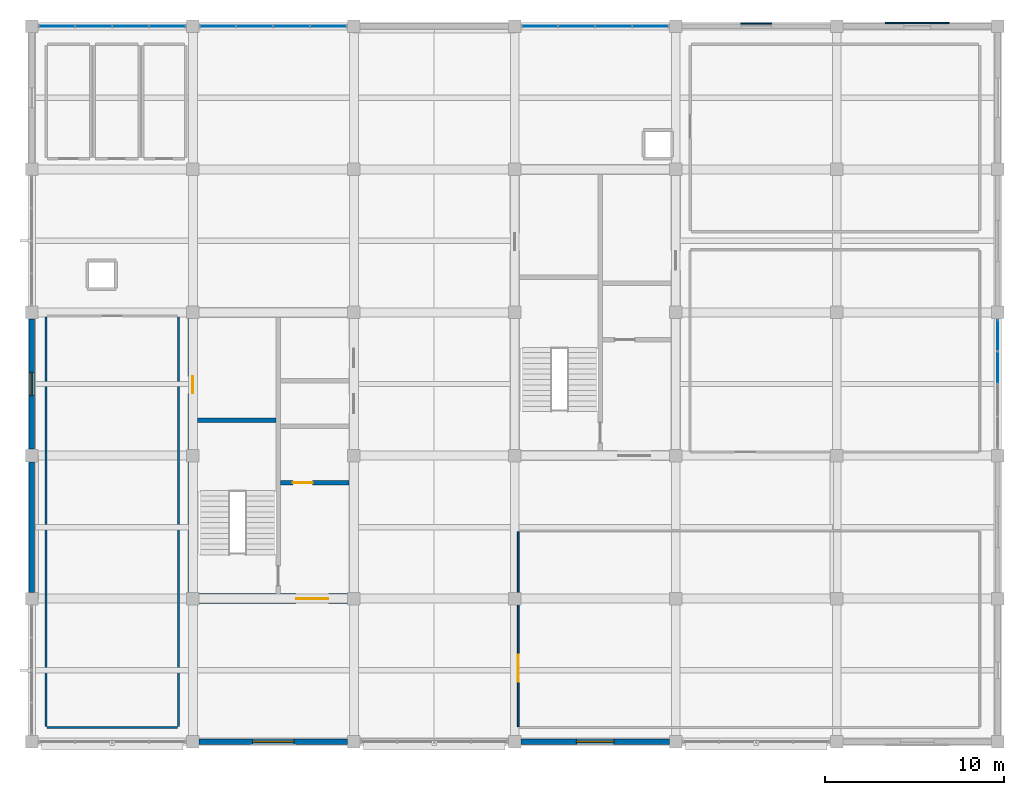
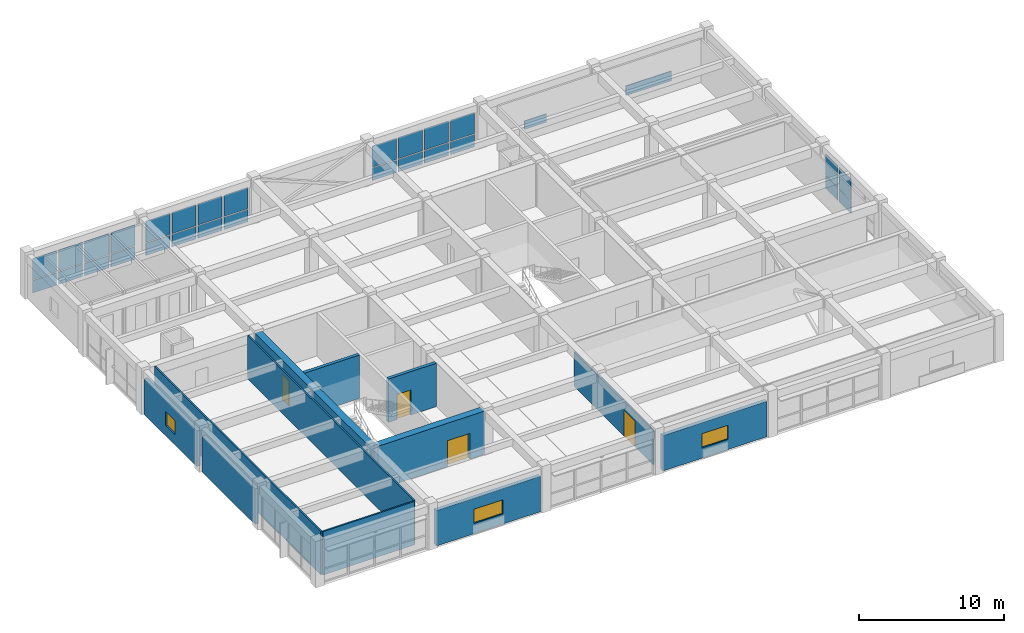
# One storey, part 10 of 13: 30 plates, 12 walls, 4 doors, 3 windows, 7 openings, 4 elements without a shape of their own.
"""IFC4 building model written with IfcOpenShell, lengths in metres."""

from ifc_helpers import new_model, si_unit, direction, frame, frame_2d, origin, place, context, subcontext, project, spatial, rectangle, extrude, material, layer, layer_set, type_object, element, fill, aggregate, save


model = new_model("IFC4")

# Units and contexts
model_context = context("Model", 3, precision=1e-05, world=origin(), true_north=direction((0.0, 1.0)))
body_context = subcontext(model_context, "Body", "Model", "MODEL_VIEW")
ifc_project = project(units=[si_unit("LENGTHUNIT", "METRE"), si_unit("AREAUNIT", "SQUARE_METRE"), si_unit("VOLUMEUNIT", "CUBIC_METRE"), si_unit("PLANEANGLEUNIT", "RADIAN"), si_unit("MASSUNIT", "GRAM", prefix="KILO")], contexts=[model_context])

# Site, building, storey
site_placement = place(None, origin())
site = spatial("IfcSite", under=ifc_project, at=site_placement, CompositionType="ELEMENT")
building_placement = place(site_placement, origin())
building = spatial("IfcBuilding", under=site, at=building_placement, Name="Zaverband Oceanarium and Marine Research Institute", CompositionType="ELEMENT")
storey_placement = place(building_placement, frame((0.0, 0.0, 60.89990234375)))
storey = spatial("IfcBuildingStorey", under=building, at=storey_placement, Name="L15", CompositionType="ELEMENT", Elevation=60.89990234375)

# Curtain wall, plates
ifc_material_1 = material(Name="Thermally broken anodized aluminium and solar-control glass", Category="aluminium")
curtain_wall_type = type_object("IfcCurtainWallType", Name="CW-UNIT-1800", PredefinedType="NOTDEFINED", material=ifc_material_1)
curtain_wall_1_placement = place(storey_placement, origin())
curtain_wall_1 = element("IfcCurtainWall", 1, at=curtain_wall_1_placement, inside=storey, type_object=curtain_wall_type, Name="Unitised glazed curtain wall CW-164", PredefinedType="NOTDEFINED")
ifc_material_2 = material(Name="Low-E double-glazed solar-control glass", Category="glass")
ifc_layer_1 = layer(ifc_material_2, 0.033935546875, Name="Low-E double-glazed solar-control glass")
ifc_layer_set_1 = layer_set([ifc_layer_1], Name="Low-E double-glazed solar-control glass")
plate_type_1 = type_object("IfcPlateType", Name="CWP-1570x1043", PredefinedType="CURTAIN_PANEL", material=ifc_layer_set_1)
plate_1_placement = place(storey_placement, frame((63.0, 92.080078125, 0.050048828125), z_axis=(0.0, 0.0, 1.0), x_axis=(0.0, 1.0, 0.0)))
plate_1 = element("IfcPlate", 2, at=plate_1_placement, type_object=plate_type_1, Name="Glazed curtain wall panel CWP-1570x1043", PredefinedType="CURTAIN_PANEL", context=body_context, shape_type="SweptSolid", body=[
    extrude(rectangle(XDim=1.662353515625, YDim=0.033935546875, at=frame_2d((0.8310546875, 0.0))), origin(), (0.0, 0.0, 1.0), 1.04296875),
])
plate_2_placement = place(storey_placement, frame((63.0, 93.902587890625, 0.050048828125), z_axis=(0.0, 0.0, 1.0), x_axis=(0.0, 1.0, 0.0)))
plate_2 = element("IfcPlate", 3, at=plate_2_placement, type_object=plate_type_1, Name="Glazed curtain wall panel CWP-1570x1043", PredefinedType="CURTAIN_PANEL", context=body_context, shape_type="SweptSolid", body=[
    extrude(rectangle(XDim=1.662353515625, YDim=0.033935546875, at=frame_2d((0.8310546875, 0.0))), origin(), (0.0, 0.0, 1.0), 1.04296875),
])
ifc_layer_2 = layer(ifc_material_2, 0.035888671875, Name="Low-E double-glazed solar-control glass")
ifc_layer_set_2 = layer_set([ifc_layer_2], Name="Low-E double-glazed solar-control glass")
plate_type_2 = type_object("IfcPlateType", Name="CWP-1570x1777", PredefinedType="CURTAIN_PANEL", material=ifc_layer_set_2)
plate_3_placement = place(storey_placement, frame((63.0, 92.080078125, 1.1630859375), z_axis=(0.0, 0.0, 1.0), x_axis=(0.0, 1.0, 0.0)))
plate_3 = element("IfcPlate", 4, at=plate_3_placement, type_object=plate_type_2, Name="Glazed curtain wall panel CWP-1570x1777", PredefinedType="CURTAIN_PANEL", context=body_context, shape_type="SweptSolid", body=[
    extrude(rectangle(XDim=1.662353515625, YDim=0.035888671875, at=frame_2d((0.8310546875, 0.0))), origin(), (0.0, 0.0, 1.0), 1.777099609375),
])
plate_4_placement = place(storey_placement, frame((63.0, 93.902587890625, 1.1630859375), z_axis=(0.0, 0.0, 1.0), x_axis=(0.0, 1.0, 0.0)))
plate_4 = element("IfcPlate", 5, at=plate_4_placement, type_object=plate_type_2, Name="Glazed curtain wall panel CWP-1570x1777", PredefinedType="CURTAIN_PANEL", context=body_context, shape_type="SweptSolid", body=[
    extrude(rectangle(XDim=1.662353515625, YDim=0.035888671875, at=frame_2d((0.8310546875, 0.0))), origin(), (0.0, 0.0, 1.0), 1.777099609375),
])
aggregate(curtain_wall_1, [plate_1, plate_3, plate_2, plate_4])

curtain_wall_2_placement = place(storey_placement, origin())
curtain_wall_2 = element("IfcCurtainWall", 6, at=curtain_wall_2_placement, inside=storey, type_object=curtain_wall_type, Name="Unitised glazed curtain wall CW-159", PredefinedType="NOTDEFINED")
ifc_layer_3 = layer(ifc_material_2, 0.033935546875, Name="Low-E double-glazed solar-control glass")
ifc_layer_set_3 = layer_set([ifc_layer_3], Name="Low-E double-glazed solar-control glass")
plate_type_3 = type_object("IfcPlateType", Name="CWP-1820x1043", PredefinedType="CURTAIN_PANEL", material=ifc_layer_set_3)
plate_5_placement = place(storey_placement, frame((9.43505859375, 112.0, 0.050048828125), z_axis=(0.0, 0.0, 1.0), x_axis=(1.0, 0.0, 0.0)))
plate_5 = element("IfcPlate", 7, at=plate_5_placement, type_object=plate_type_3, Name="Glazed curtain wall panel CWP-1820x1043", PredefinedType="CURTAIN_PANEL", context=body_context, shape_type="SweptSolid", body=[
    extrude(rectangle(XDim=1.912353515625, YDim=0.033935546875, at=frame_2d((0.9560546875, 0.0))), origin(), (0.0, 0.0, 1.0), 1.04296875),
])
plate_6_placement = place(storey_placement, frame((11.507568359375, 112.0, 0.050048828125), z_axis=(0.0, 0.0, 1.0), x_axis=(1.0, 0.0, 0.0)))
plate_6 = element("IfcPlate", 8, at=plate_6_placement, type_object=plate_type_3, Name="Glazed curtain wall panel CWP-1820x1043", PredefinedType="CURTAIN_PANEL", context=body_context, shape_type="SweptSolid", body=[
    extrude(rectangle(XDim=1.912353515625, YDim=0.033935546875, at=frame_2d((0.9560546875, 0.0))), origin(), (0.0, 0.0, 1.0), 1.04296875),
])
plate_7_placement = place(storey_placement, frame((13.580078125, 112.0, 0.050048828125), z_axis=(0.0, 0.0, 1.0), x_axis=(1.0, 0.0, 0.0)))
plate_7 = element("IfcPlate", 9, at=plate_7_placement, type_object=plate_type_3, Name="Glazed curtain wall panel CWP-1820x1043", PredefinedType="CURTAIN_PANEL", context=body_context, shape_type="SweptSolid", body=[
    extrude(rectangle(XDim=1.912353515625, YDim=0.033935546875, at=frame_2d((0.9560546875, 0.0))), origin(), (0.0, 0.0, 1.0), 1.04296875),
])
plate_8_placement = place(storey_placement, frame((15.652587890625, 112.0, 0.050048828125), z_axis=(0.0, 0.0, 1.0), x_axis=(1.0, 0.0, 0.0)))
plate_8 = element("IfcPlate", 10, at=plate_8_placement, type_object=plate_type_3, Name="Glazed curtain wall panel CWP-1820x1043", PredefinedType="CURTAIN_PANEL", context=body_context, shape_type="SweptSolid", body=[
    extrude(rectangle(XDim=1.912353515625, YDim=0.033935546875, at=frame_2d((0.9560546875, 0.0))), origin(), (0.0, 0.0, 1.0), 1.04296875),
])

curtain_wall_3_placement = place(storey_placement, origin())
curtain_wall_3 = element("IfcCurtainWall", 11, at=curtain_wall_3_placement, inside=storey, type_object=curtain_wall_type, Name="Unitised glazed curtain wall CW-160", PredefinedType="NOTDEFINED")
plate_9_placement = place(storey_placement, frame((18.43505859375, 112.0, 0.050048828125), z_axis=(0.0, 0.0, 1.0), x_axis=(1.0, 0.0, 0.0)))
plate_9 = element("IfcPlate", 12, at=plate_9_placement, type_object=plate_type_3, Name="Glazed curtain wall panel CWP-1820x1043", PredefinedType="CURTAIN_PANEL", context=body_context, shape_type="SweptSolid", body=[
    extrude(rectangle(XDim=1.912353515625, YDim=0.033935546875, at=frame_2d((0.9560546875, 0.0))), origin(), (0.0, 0.0, 1.0), 1.04296875),
])
plate_10_placement = place(storey_placement, frame((20.507568359375, 112.0, 0.050048828125), z_axis=(0.0, 0.0, 1.0), x_axis=(1.0, 0.0, 0.0)))
plate_10 = element("IfcPlate", 13, at=plate_10_placement, type_object=plate_type_3, Name="Glazed curtain wall panel CWP-1820x1043", PredefinedType="CURTAIN_PANEL", context=body_context, shape_type="SweptSolid", body=[
    extrude(rectangle(XDim=1.912353515625, YDim=0.033935546875, at=frame_2d((0.9560546875, 0.0))), origin(), (0.0, 0.0, 1.0), 1.04296875),
])
plate_11_placement = place(storey_placement, frame((22.580078125, 112.0, 0.050048828125), z_axis=(0.0, 0.0, 1.0), x_axis=(1.0, 0.0, 0.0)))
plate_11 = element("IfcPlate", 14, at=plate_11_placement, type_object=plate_type_3, Name="Glazed curtain wall panel CWP-1820x1043", PredefinedType="CURTAIN_PANEL", context=body_context, shape_type="SweptSolid", body=[
    extrude(rectangle(XDim=1.912353515625, YDim=0.033935546875, at=frame_2d((0.9560546875, 0.0))), origin(), (0.0, 0.0, 1.0), 1.04296875),
])
plate_12_placement = place(storey_placement, frame((24.652587890625, 112.0, 0.050048828125), z_axis=(0.0, 0.0, 1.0), x_axis=(1.0, 0.0, 0.0)))
plate_12 = element("IfcPlate", 15, at=plate_12_placement, type_object=plate_type_3, Name="Glazed curtain wall panel CWP-1820x1043", PredefinedType="CURTAIN_PANEL", context=body_context, shape_type="SweptSolid", body=[
    extrude(rectangle(XDim=1.912353515625, YDim=0.033935546875, at=frame_2d((0.9560546875, 0.0))), origin(), (0.0, 0.0, 1.0), 1.04296875),
])

curtain_wall_4_placement = place(storey_placement, origin())
curtain_wall_4 = element("IfcCurtainWall", 16, at=curtain_wall_4_placement, inside=storey, type_object=curtain_wall_type, Name="Unitised glazed curtain wall CW-161", PredefinedType="NOTDEFINED")
plate_13_placement = place(storey_placement, frame((36.43505859375, 112.0, 0.050048828125), z_axis=(0.0, 0.0, 1.0), x_axis=(1.0, 0.0, 0.0)))
plate_13 = element("IfcPlate", 17, at=plate_13_placement, type_object=plate_type_3, Name="Glazed curtain wall panel CWP-1820x1043", PredefinedType="CURTAIN_PANEL", context=body_context, shape_type="SweptSolid", body=[
    extrude(rectangle(XDim=1.912353515625, YDim=0.033935546875, at=frame_2d((0.9560546875, 0.0))), origin(), (0.0, 0.0, 1.0), 1.04296875),
])
plate_14_placement = place(storey_placement, frame((38.507568359375, 112.0, 0.050048828125), z_axis=(0.0, 0.0, 1.0), x_axis=(1.0, 0.0, 0.0)))
plate_14 = element("IfcPlate", 18, at=plate_14_placement, type_object=plate_type_3, Name="Glazed curtain wall panel CWP-1820x1043", PredefinedType="CURTAIN_PANEL", context=body_context, shape_type="SweptSolid", body=[
    extrude(rectangle(XDim=1.912353515625, YDim=0.033935546875, at=frame_2d((0.9560546875, 0.0))), origin(), (0.0, 0.0, 1.0), 1.04296875),
])
plate_15_placement = place(storey_placement, frame((40.580078125, 112.0, 0.050048828125), z_axis=(0.0, 0.0, 1.0), x_axis=(1.0, 0.0, 0.0)))
plate_15 = element("IfcPlate", 19, at=plate_15_placement, type_object=plate_type_3, Name="Glazed curtain wall panel CWP-1820x1043", PredefinedType="CURTAIN_PANEL", context=body_context, shape_type="SweptSolid", body=[
    extrude(rectangle(XDim=1.912353515625, YDim=0.033935546875, at=frame_2d((0.9560546875, 0.0))), origin(), (0.0, 0.0, 1.0), 1.04296875),
])
plate_16_placement = place(storey_placement, frame((42.652587890625, 112.0, 0.050048828125), z_axis=(0.0, 0.0, 1.0), x_axis=(1.0, 0.0, 0.0)))
plate_16 = element("IfcPlate", 20, at=plate_16_placement, type_object=plate_type_3, Name="Glazed curtain wall panel CWP-1820x1043", PredefinedType="CURTAIN_PANEL", context=body_context, shape_type="SweptSolid", body=[
    extrude(rectangle(XDim=1.912353515625, YDim=0.033935546875, at=frame_2d((0.9560546875, 0.0))), origin(), (0.0, 0.0, 1.0), 1.04296875),
])

# Plate
ifc_layer_4 = layer(ifc_material_2, 0.035888671875, Name="Low-E double-glazed solar-control glass")
ifc_layer_set_4 = layer_set([ifc_layer_4], Name="Low-E double-glazed solar-control glass")
plate_type_4 = type_object("IfcPlateType", Name="CWP-1820x1777", PredefinedType="CURTAIN_PANEL", material=ifc_layer_set_4)
plate_17_placement = place(storey_placement, frame((9.43505859375, 112.0, 1.1630859375), z_axis=(0.0, 0.0, 1.0), x_axis=(1.0, 0.0, 0.0)))
plate_17 = element("IfcPlate", 21, at=plate_17_placement, type_object=plate_type_4, Name="Glazed curtain wall panel CWP-1820x1777", PredefinedType="CURTAIN_PANEL", context=body_context, shape_type="SweptSolid", body=[
    extrude(rectangle(XDim=1.912353515625, YDim=0.035888671875, at=frame_2d((0.9560546875, 0.0))), origin(), (0.0, 0.0, 1.0), 1.777099609375),
])

plate_18_placement = place(storey_placement, frame((11.507568359375, 112.0, 1.1630859375), z_axis=(0.0, 0.0, 1.0), x_axis=(1.0, 0.0, 0.0)))
plate_18 = element("IfcPlate", 22, at=plate_18_placement, type_object=plate_type_4, Name="Glazed curtain wall panel CWP-1820x1777", PredefinedType="CURTAIN_PANEL", context=body_context, shape_type="SweptSolid", body=[
    extrude(rectangle(XDim=1.912353515625, YDim=0.035888671875, at=frame_2d((0.9560546875, 0.0))), origin(), (0.0, 0.0, 1.0), 1.777099609375),
])

plate_19_placement = place(storey_placement, frame((13.580078125, 112.0, 1.1630859375), z_axis=(0.0, 0.0, 1.0), x_axis=(1.0, 0.0, 0.0)))
plate_19 = element("IfcPlate", 23, at=plate_19_placement, type_object=plate_type_4, Name="Glazed curtain wall panel CWP-1820x1777", PredefinedType="CURTAIN_PANEL", context=body_context, shape_type="SweptSolid", body=[
    extrude(rectangle(XDim=1.912353515625, YDim=0.035888671875, at=frame_2d((0.9560546875, 0.0))), origin(), (0.0, 0.0, 1.0), 1.777099609375),
])

plate_20_placement = place(storey_placement, frame((15.652587890625, 112.0, 1.1630859375), z_axis=(0.0, 0.0, 1.0), x_axis=(1.0, 0.0, 0.0)))
plate_20 = element("IfcPlate", 24, at=plate_20_placement, type_object=plate_type_4, Name="Glazed curtain wall panel CWP-1820x1777", PredefinedType="CURTAIN_PANEL", context=body_context, shape_type="SweptSolid", body=[
    extrude(rectangle(XDim=1.912353515625, YDim=0.035888671875, at=frame_2d((0.9560546875, 0.0))), origin(), (0.0, 0.0, 1.0), 1.777099609375),
])

aggregate(curtain_wall_2, [plate_5, plate_17, plate_6, plate_18, plate_7, plate_19, plate_8, plate_20])

plate_21_placement = place(storey_placement, frame((18.43505859375, 112.0, 1.1630859375), z_axis=(0.0, 0.0, 1.0), x_axis=(1.0, 0.0, 0.0)))
plate_21 = element("IfcPlate", 25, at=plate_21_placement, type_object=plate_type_4, Name="Glazed curtain wall panel CWP-1820x1777", PredefinedType="CURTAIN_PANEL", context=body_context, shape_type="SweptSolid", body=[
    extrude(rectangle(XDim=1.912353515625, YDim=0.035888671875, at=frame_2d((0.9560546875, 0.0))), origin(), (0.0, 0.0, 1.0), 1.777099609375),
])

plate_22_placement = place(storey_placement, frame((20.507568359375, 112.0, 1.1630859375), z_axis=(0.0, 0.0, 1.0), x_axis=(1.0, 0.0, 0.0)))
plate_22 = element("IfcPlate", 26, at=plate_22_placement, type_object=plate_type_4, Name="Glazed curtain wall panel CWP-1820x1777", PredefinedType="CURTAIN_PANEL", context=body_context, shape_type="SweptSolid", body=[
    extrude(rectangle(XDim=1.912353515625, YDim=0.035888671875, at=frame_2d((0.9560546875, 0.0))), origin(), (0.0, 0.0, 1.0), 1.777099609375),
])

plate_23_placement = place(storey_placement, frame((22.580078125, 112.0, 1.1630859375), z_axis=(0.0, 0.0, 1.0), x_axis=(1.0, 0.0, 0.0)))
plate_23 = element("IfcPlate", 27, at=plate_23_placement, type_object=plate_type_4, Name="Glazed curtain wall panel CWP-1820x1777", PredefinedType="CURTAIN_PANEL", context=body_context, shape_type="SweptSolid", body=[
    extrude(rectangle(XDim=1.912353515625, YDim=0.035888671875, at=frame_2d((0.9560546875, 0.0))), origin(), (0.0, 0.0, 1.0), 1.777099609375),
])

plate_24_placement = place(storey_placement, frame((24.652587890625, 112.0, 1.1630859375), z_axis=(0.0, 0.0, 1.0), x_axis=(1.0, 0.0, 0.0)))
plate_24 = element("IfcPlate", 28, at=plate_24_placement, type_object=plate_type_4, Name="Glazed curtain wall panel CWP-1820x1777", PredefinedType="CURTAIN_PANEL", context=body_context, shape_type="SweptSolid", body=[
    extrude(rectangle(XDim=1.912353515625, YDim=0.035888671875, at=frame_2d((0.9560546875, 0.0))), origin(), (0.0, 0.0, 1.0), 1.777099609375),
])

aggregate(curtain_wall_3, [plate_9, plate_21, plate_10, plate_22, plate_11, plate_23, plate_12, plate_24])

plate_25_placement = place(storey_placement, frame((36.43505859375, 112.0, 1.1630859375), z_axis=(0.0, 0.0, 1.0), x_axis=(1.0, 0.0, 0.0)))
plate_25 = element("IfcPlate", 29, at=plate_25_placement, type_object=plate_type_4, Name="Glazed curtain wall panel CWP-1820x1777", PredefinedType="CURTAIN_PANEL", context=body_context, shape_type="SweptSolid", body=[
    extrude(rectangle(XDim=1.912353515625, YDim=0.035888671875, at=frame_2d((0.9560546875, 0.0))), origin(), (0.0, 0.0, 1.0), 1.777099609375),
])

plate_26_placement = place(storey_placement, frame((38.507568359375, 112.0, 1.1630859375), z_axis=(0.0, 0.0, 1.0), x_axis=(1.0, 0.0, 0.0)))
plate_26 = element("IfcPlate", 30, at=plate_26_placement, type_object=plate_type_4, Name="Glazed curtain wall panel CWP-1820x1777", PredefinedType="CURTAIN_PANEL", context=body_context, shape_type="SweptSolid", body=[
    extrude(rectangle(XDim=1.912353515625, YDim=0.035888671875, at=frame_2d((0.9560546875, 0.0))), origin(), (0.0, 0.0, 1.0), 1.777099609375),
])

plate_27_placement = place(storey_placement, frame((40.580078125, 112.0, 1.1630859375), z_axis=(0.0, 0.0, 1.0), x_axis=(1.0, 0.0, 0.0)))
plate_27 = element("IfcPlate", 31, at=plate_27_placement, type_object=plate_type_4, Name="Glazed curtain wall panel CWP-1820x1777", PredefinedType="CURTAIN_PANEL", context=body_context, shape_type="SweptSolid", body=[
    extrude(rectangle(XDim=1.912353515625, YDim=0.035888671875, at=frame_2d((0.9560546875, 0.0))), origin(), (0.0, 0.0, 1.0), 1.777099609375),
])

plate_28_placement = place(storey_placement, frame((42.652587890625, 112.0, 1.1630859375), z_axis=(0.0, 0.0, 1.0), x_axis=(1.0, 0.0, 0.0)))
plate_28 = element("IfcPlate", 32, at=plate_28_placement, type_object=plate_type_4, Name="Glazed curtain wall panel CWP-1820x1777", PredefinedType="CURTAIN_PANEL", context=body_context, shape_type="SweptSolid", body=[
    extrude(rectangle(XDim=1.912353515625, YDim=0.035888671875, at=frame_2d((0.9560546875, 0.0))), origin(), (0.0, 0.0, 1.0), 1.777099609375),
])

aggregate(curtain_wall_4, [plate_13, plate_25, plate_14, plate_26, plate_15, plate_27, plate_16, plate_28])

# Plates
ifc_material_3 = material(Name="Concrete C40/50 precast ochre", Category="concrete")
ifc_layer_5 = layer(ifc_material_3, 0.070068359375, Name="Concrete C40/50 precast ochre")
ifc_layer_set_5 = layer_set([ifc_layer_5], Name="Concrete C40/50 precast ochre")
plate_type_5 = type_object("IfcPlateType", Name="FRP-1750x700", PredefinedType="USERDEFINED", material=ifc_layer_set_5)
plate_29_placement = place(storey_placement, frame((48.625, 112.152587890625, 0.0), z_axis=(0.0, 0.0, 1.0), x_axis=(1.0, 0.0, 0.0)))
element("IfcPlate", 33, at=plate_29_placement, inside=storey, type_object=plate_type_5, Name="Geometric precast facade cladding panel FRP-1750x700", ObjectType="FLANGE_PLATE", PredefinedType="USERDEFINED", context=body_context, shape_type="SweptSolid", body=[
    extrude(rectangle(XDim=1.75, YDim=0.070068359375, at=frame_2d((0.875, 0.0))), origin(), (0.0, 0.0, 1.0), 0.7001953125),
])
ifc_layer_6 = layer(ifc_material_3, 0.0849609375, Name="Concrete C40/50 precast ochre")
ifc_layer_set_6 = layer_set([ifc_layer_6], Name="Concrete C40/50 precast ochre")
plate_type_6 = type_object("IfcPlateType", Name="FRP-3600x800", PredefinedType="USERDEFINED", material=ifc_layer_set_6)
plate_30_placement = place(storey_placement, frame((56.699951171875, 112.172607421875, 0.0), z_axis=(0.0, 0.0, 1.0), x_axis=(1.0, 0.0, 0.0)))
element("IfcPlate", 34, at=plate_30_placement, inside=storey, type_object=plate_type_6, Name="Geometric precast facade cladding panel FRP-3600x800", ObjectType="FLANGE_PLATE", PredefinedType="USERDEFINED", context=body_context, shape_type="SweptSolid", body=[
    extrude(rectangle(XDim=3.60009765625, YDim=0.0849609375, at=frame_2d((1.800048828125, 0.0))), origin(), (0.0, 0.0, 1.0), 0.800048828125),
])

# Wall, opening, door
ifc_material_4 = material(Name="Concrete C50/60", Category="concrete")
ifc_layer_7 = layer(ifc_material_4, 0.550048828125, Name="Concrete C50/60")
ifc_layer_set_7 = layer_set([ifc_layer_7], Name="Concrete C50/60")
wall_type_1 = type_object("IfcWallType", Name="CW-01", PredefinedType="SHEAR", material=ifc_layer_set_7)
wall_1_placement = place(storey_placement, frame((18.27490234375, 80.0, 0.0), z_axis=(0.0, 0.0, 1.0), x_axis=(1.0, 0.0, 0.0)))
wall_1 = element("IfcWall", 35, at=wall_1_placement, inside=storey, type_object=wall_type_1, Name="Structural shear wall CW-01", PredefinedType="SHEAR", context=body_context, shape_type="SweptSolid", body=[
    extrude(rectangle(XDim=8.4501953125, YDim=0.550048828125, at=frame_2d((4.22509765625, 0.0))), origin(), (0.0, 0.0, 1.0), 3.650146484375),
])
opening_1_placement = place(wall_1_placement, frame((5.5, 0.0, 0.0)))
opening_1 = element("IfcOpeningElement", 36, at=opening_1_placement, cuts=wall_1, Name="Opening FD-02", PredefinedType="OPENING", context=body_context, shape_type="SweptSolid", body=[
    extrude(rectangle(XDim=1.800048828125, YDim=2.179931640625, at=frame_2d((0.89990234375, 1.08984375))), frame((0.0, 0.287109375, 0.0), z_axis=(0.0, -1.0, 0.0), x_axis=(1.0, 0.0, 0.0)), (0.0, 0.0, 1.0), 0.573974609375),
])
ifc_material_5 = material(Name="Steel S355", Category="steel")
door_type_1 = type_object("IfcDoorType", Name="FD-02", OperationType="DOUBLE_DOOR_SINGLE_SWING", PredefinedType="DOOR", material=ifc_material_5)
door_1_placement = place(opening_1_placement, origin())
door_1 = element("IfcDoor", 37, at=door_1_placement, inside=storey, type_object=door_type_1, Name="Protected lobby double fire door FD-02", OperationType="DOUBLE_DOOR_SINGLE_SWING", OverallHeight=2.179931640625, OverallWidth=1.800048828125, PredefinedType="DOOR", context=body_context, shape_type="SweptSolid", body=[
    extrude(rectangle(XDim=1.800048828125, YDim=2.179931640625, at=frame_2d((0.89990234375, 1.08984375))), frame((0.0, 0.02490234375, 0.0), z_axis=(0.0, -1.0, 0.0), x_axis=(1.0, 0.0, 0.0)), (0.0, 0.0, 1.0), 0.050048828125),
])
fill(opening_1, door_1)

wall_2_placement = place(storey_placement, frame((18.0, 80.27490234375, 0.0), z_axis=(0.0, 0.0, 1.0), x_axis=(0.0, 1.0, 0.0)))
wall_2 = element("IfcWall", 38, at=wall_2_placement, inside=storey, type_object=wall_type_1, Name="Structural shear wall CW-01", PredefinedType="SHEAR", context=body_context, shape_type="SweptSolid", body=[
    extrude(rectangle(XDim=15.4501953125, YDim=0.550048828125, at=frame_2d((7.72509765625, 0.0))), origin(), (0.0, 0.0, 1.0), 3.650146484375),
])
opening_2_placement = place(wall_2_placement, frame((11.199951171875, 0.0, 0.0)))
opening_2 = element("IfcOpeningElement", 39, at=opening_2_placement, cuts=wall_2, Name="Opening FD-03", PredefinedType="OPENING", context=body_context, shape_type="SweptSolid", body=[
    extrude(rectangle(XDim=0.949951171875, YDim=2.10009765625, at=frame_2d((0.47509765625, 1.050048828125))), frame((0.0, 0.287109375, 0.0), z_axis=(0.0, -1.0, 0.0), x_axis=(1.0, 0.0, 0.0)), (0.0, 0.0, 1.0), 0.573974609375),
])
door_type_2 = type_object("IfcDoorType", Name="FD-03", OperationType="NOTDEFINED", PredefinedType="DOOR", material=ifc_material_5)
door_2_placement = place(opening_2_placement, origin())
door_2 = element("IfcDoor", 40, at=door_2_placement, inside=storey, type_object=door_type_2, Name="Service riser access fire door FD-03", OperationType="SINGLE_SWING_RIGHT", OverallHeight=2.10009765625, OverallWidth=0.949951171875, PredefinedType="DOOR", context=body_context, shape_type="SweptSolid", body=[
    extrude(rectangle(XDim=0.949951171875, YDim=2.10009765625, at=frame_2d((0.47509765625, 1.050048828125))), frame((0.0, 0.02490234375, 0.0), z_axis=(0.0, -1.0, 0.0), x_axis=(1.0, 0.0, 0.0)), (0.0, 0.0, 1.0), 0.050048828125),
])
fill(opening_2, door_2)

# Wall, opening, window
ifc_material_6 = material(Name="Concrete C40/50 precast", Category="concrete")
ifc_layer_8 = layer(ifc_material_6, 0.2900390625, Name="Concrete C40/50 precast")
ifc_layer_set_8 = layer_set([ifc_layer_8], Name="Concrete C40/50 precast")
wall_type_2 = type_object("IfcWallType", Name="EW-290", PredefinedType="STANDARD", material=ifc_layer_set_8)
wall_3_placement = place(storey_placement, frame((18.35498046875, 72.0, 0.0), z_axis=(0.0, 0.0, 1.0), x_axis=(1.0, 0.0, 0.0)))
wall_3 = element("IfcWall", 41, at=wall_3_placement, inside=storey, type_object=wall_type_2, Name="Exterior infill wall EW-290", PredefinedType="STANDARD", context=body_context, shape_type="SweptSolid", body=[
    extrude(rectangle(XDim=8.2900390625, YDim=0.2900390625, at=frame_2d((4.14501953125, 0.0))), origin(), (0.0, 0.0, 1.0), 2.97998046875),
])
opening_3_placement = place(wall_3_placement, frame((2.9951171875, 0.0, 0.85009765625)))
opening_3 = element("IfcOpeningElement", 42, at=opening_3_placement, cuts=wall_3, Name="Opening WN-2300x1200", PredefinedType="OPENING", context=body_context, shape_type="SweptSolid", body=[
    extrude(rectangle(XDim=2.300048828125, YDim=1.199951171875, at=frame_2d((1.14990234375, 0.60009765625))), frame((0.0, 0.156982421875, 0.0), z_axis=(0.0, -1.0, 0.0), x_axis=(1.0, 0.0, 0.0)), (0.0, 0.0, 1.0), 0.31396484375),
])
window_type_1 = type_object("IfcWindowType", Name="WN-2300x1200", PartitioningType="SINGLE_PANEL", PredefinedType="WINDOW", material=ifc_material_1)
window_1_placement = place(opening_3_placement, origin())
window_1 = element("IfcWindow", 43, at=window_1_placement, inside=storey, type_object=window_type_1, Name="Fixed / casement exterior window WN-2300x1200", OverallHeight=1.199951171875, OverallWidth=2.300048828125, PartitioningType="SINGLE_PANEL", PredefinedType="WINDOW", context=body_context, shape_type="SweptSolid", body=[
    extrude(rectangle(XDim=2.300048828125, YDim=1.199951171875, at=frame_2d((1.14990234375, 0.60009765625))), frame((0.0, 0.030029296875, 0.0), z_axis=(0.0, -1.0, 0.0), x_axis=(1.0, 0.0, 0.0)), (0.0, 0.0, 1.0), 0.06005859375),
])
fill(opening_3, window_1)

wall_4_placement = place(storey_placement, frame((36.35498046875, 72.0, 0.0), z_axis=(0.0, 0.0, 1.0), x_axis=(1.0, 0.0, 0.0)))
wall_4 = element("IfcWall", 44, at=wall_4_placement, inside=storey, type_object=wall_type_2, Name="Exterior infill wall EW-290", PredefinedType="STANDARD", context=body_context, shape_type="SweptSolid", body=[
    extrude(rectangle(XDim=8.2900390625, YDim=0.2900390625, at=frame_2d((4.14501953125, 0.0))), origin(), (0.0, 0.0, 1.0), 2.97998046875),
])
opening_4_placement = place(wall_4_placement, frame((3.094970703125, 0.0, 0.85009765625)))
opening_4 = element("IfcOpeningElement", 45, at=opening_4_placement, cuts=wall_4, Name="Opening WN-2100x1200", PredefinedType="OPENING", context=body_context, shape_type="SweptSolid", body=[
    extrude(rectangle(XDim=2.10009765625, YDim=1.199951171875, at=frame_2d((1.050048828125, 0.60009765625))), frame((0.0, 0.156982421875, 0.0), z_axis=(0.0, -1.0, 0.0), x_axis=(1.0, 0.0, 0.0)), (0.0, 0.0, 1.0), 0.31396484375),
])
window_type_2 = type_object("IfcWindowType", Name="WN-2100x1200", PartitioningType="SINGLE_PANEL", PredefinedType="WINDOW", material=ifc_material_1)
window_2_placement = place(opening_4_placement, origin())
window_2 = element("IfcWindow", 46, at=window_2_placement, inside=storey, type_object=window_type_2, Name="Fixed / casement exterior window WN-2100x1200", OverallHeight=1.199951171875, OverallWidth=2.10009765625, PartitioningType="SINGLE_PANEL", PredefinedType="WINDOW", context=body_context, shape_type="SweptSolid", body=[
    extrude(rectangle(XDim=2.10009765625, YDim=1.199951171875, at=frame_2d((1.050048828125, 0.60009765625))), frame((0.0, 0.030029296875, 0.0), z_axis=(0.0, -1.0, 0.0), x_axis=(1.0, 0.0, 0.0)), (0.0, 0.0, 1.0), 0.06005859375),
])
fill(opening_4, window_2)

# Wall
wall_5_placement = place(storey_placement, frame((9.0, 80.35498046875, 0.0), z_axis=(0.0, 0.0, 1.0), x_axis=(0.0, 1.0, 0.0)))
element("IfcWall", 47, at=wall_5_placement, inside=storey, type_object=wall_type_2, Name="Exterior infill wall EW-290", PredefinedType="STANDARD", context=body_context, shape_type="SweptSolid", body=[
    extrude(rectangle(XDim=7.2900390625, YDim=0.2900390625, at=frame_2d((3.64501953125, 0.0))), origin(), (0.0, 0.0, 1.0), 2.97998046875),
])

# Wall, opening, window
wall_6_placement = place(storey_placement, frame((9.0, 88.35498046875, 0.0), z_axis=(0.0, 0.0, 1.0), x_axis=(0.0, 1.0, 0.0)))
wall_6 = element("IfcWall", 48, at=wall_6_placement, inside=storey, type_object=wall_type_2, Name="Exterior infill wall EW-290", PredefinedType="STANDARD", context=body_context, shape_type="SweptSolid", body=[
    extrude(rectangle(XDim=7.2900390625, YDim=0.2900390625, at=frame_2d((3.64501953125, 0.0))), origin(), (0.0, 0.0, 1.0), 2.97998046875),
])
opening_5_placement = place(wall_6_placement, frame((2.9951171875, 0.0, 0.85009765625)))
opening_5 = element("IfcOpeningElement", 49, at=opening_5_placement, cuts=wall_6, Name="Opening WN-1300x1200", PredefinedType="OPENING", context=body_context, shape_type="SweptSolid", body=[
    extrude(rectangle(XDim=1.300048828125, YDim=1.199951171875, at=frame_2d((0.64990234375, 0.60009765625))), frame((0.0, 0.156982421875, 0.0), z_axis=(0.0, -1.0, 0.0), x_axis=(1.0, 0.0, 0.0)), (0.0, 0.0, 1.0), 0.31396484375),
])
window_type_3 = type_object("IfcWindowType", Name="WN-1300x1200", PartitioningType="SINGLE_PANEL", PredefinedType="WINDOW", material=ifc_material_1)
window_3_placement = place(opening_5_placement, origin())
window_3 = element("IfcWindow", 50, at=window_3_placement, inside=storey, type_object=window_type_3, Name="Fixed / casement exterior window WN-1300x1200", OverallHeight=1.199951171875, OverallWidth=1.300048828125, PartitioningType="SINGLE_PANEL", PredefinedType="WINDOW", context=body_context, shape_type="SweptSolid", body=[
    extrude(rectangle(XDim=1.300048828125, YDim=1.199951171875, at=frame_2d((0.64990234375, 0.60009765625))), frame((0.0, 0.030029296875, 0.0), z_axis=(0.0, -1.0, 0.0), x_axis=(1.0, 0.0, 0.0)), (0.0, 0.0, 1.0), 0.06005859375),
])
fill(opening_5, window_3)

# Wall, opening, door
ifc_material_7 = material(Name="Framed fire-rated glass laboratory partition", Category="glass")
ifc_layer_9 = layer(ifc_material_7, 0.10009765625, Name="Framed fire-rated glass laboratory partition")
ifc_layer_set_9 = layer_set([ifc_layer_9], Name="Framed fire-rated glass laboratory partition")
wall_type_3 = type_object("IfcWallType", Name="PT-100-GL", PredefinedType="PARTITIONING", material=ifc_layer_set_9)
wall_7_placement = place(storey_placement, frame((36.199951171875, 72.85009765625, 0.0), z_axis=(0.0, 0.0, 1.0), x_axis=(0.0, 1.0, 0.0)))
wall_7 = element("IfcWall", 51, at=wall_7_placement, inside=storey, type_object=wall_type_3, Name="Internal partition PT-100-GL", PredefinedType="PARTITIONING", context=body_context, shape_type="SweptSolid", body=[
    extrude(rectangle(XDim=10.89990234375, YDim=0.10009765625, at=frame_2d((5.449951171875, 0.0))), origin(), (0.0, 0.0, 1.0), 2.900146484375),
])
opening_6_placement = place(wall_7_placement, frame((2.5, 0.0, 0.0)))
opening_6 = element("IfcOpeningElement", 52, at=opening_6_placement, cuts=wall_7, Name="Opening ID-1520x2150", PredefinedType="OPENING", context=body_context, shape_type="SweptSolid", body=[
    extrude(rectangle(XDim=1.52001953125, YDim=2.14990234375, at=frame_2d((0.760009765625, 1.074951171875))), frame((0.0, 0.06201171875, 0.0), z_axis=(0.0, -1.0, 0.0), x_axis=(1.0, 0.0, 0.0)), (0.0, 0.0, 1.0), 0.1240234375),
])
ifc_material_8 = material(Name="Hardwood-veneered acoustic timber", Category="wood")
door_type_3 = type_object("IfcDoorType", Name="ID-1520x2150", OperationType="DOUBLE_DOOR_SINGLE_SWING", PredefinedType="DOOR", material=ifc_material_8)
door_3_placement = place(opening_6_placement, origin())
door_3 = element("IfcDoor", 53, at=door_3_placement, inside=storey, type_object=door_type_3, Name="Seminar double swing door ID-1520x2150", OperationType="DOUBLE_DOOR_SINGLE_SWING", OverallHeight=2.14990234375, OverallWidth=1.52001953125, PredefinedType="DOOR", context=body_context, shape_type="SweptSolid", body=[
    extrude(rectangle(XDim=1.52001953125, YDim=2.14990234375, at=frame_2d((0.760009765625, 1.074951171875))), frame((0.0, 0.02490234375, 0.0), z_axis=(0.0, -1.0, 0.0), x_axis=(1.0, 0.0, 0.0)), (0.0, 0.0, 1.0), 0.050048828125),
])
fill(opening_6, door_3)

# Walls
ifc_material_9 = material(Name="Insulated metal-stud office partition")
ifc_layer_10 = layer(ifc_material_9, 0.1201171875, Name="Insulated metal-stud office partition")
ifc_layer_set_10 = layer_set([ifc_layer_10], Name="Insulated metal-stud office partition")
wall_type_4 = type_object("IfcWallType", Name="PT-120-OF", PredefinedType="PARTITIONING", material=ifc_layer_set_10)
wall_8_placement = place(storey_placement, frame((9.860107421875, 72.800048828125, 0.0), z_axis=(0.0, 0.0, 1.0), x_axis=(1.0, 0.0, 0.0)))
element("IfcWall", 54, at=wall_8_placement, inside=storey, type_object=wall_type_4, Name="Internal partition PT-120-OF", PredefinedType="PARTITIONING", context=body_context, shape_type="SweptSolid", body=[
    extrude(rectangle(XDim=7.27978515625, YDim=0.1201171875, at=frame_2d((3.639892578125, 0.0))), origin(), (0.0, 0.0, 1.0), 3.650146484375),
])
for number, where, z_axis, x_axis, name in (
    (55, (9.800048828125, 72.860107421875, 0.0), (0.0, 0.0, 1.0), (0.0, 1.0, 0.0), "Internal partition PT-120-OF"),
    (56, (17.199951171875, 72.860107421875, 0.0), (0.0, 0.0, 1.0), (0.0, 1.0, 0.0), "Internal partition PT-120-OF"),
):
    element("IfcWall", number, at=place(storey_placement, frame(where, z_axis=z_axis, x_axis=x_axis)), inside=storey, type_object=wall_type_4, Name=name, PredefinedType="PARTITIONING", context=body_context, shape_type="SweptSolid", body=[
        extrude(rectangle(XDim=22.8798828125, YDim=0.1201171875, at=frame_2d((11.43994140625, 0.0))), origin(), (0.0, 0.0, 1.0), 3.650146484375),
    ])
ifc_layer_11 = layer(ifc_material_4, 0.25, Name="Concrete C50/60")
ifc_layer_set_11 = layer_set([ifc_layer_11], Name="Concrete C50/60")
wall_type_5 = type_object("IfcWallType", Name="PW-CORE-250", PredefinedType="SOLIDWALL", material=ifc_layer_set_11)
wall_9_placement = place(storey_placement, frame((18.27490234375, 89.97509765625, 0.0), z_axis=(0.0, 0.0, 1.0), x_axis=(1.0, 0.0, 0.0)))
element("IfcWall", 57, at=wall_9_placement, inside=storey, type_object=wall_type_5, Name="Structural concrete wall PW-CORE-250", PredefinedType="SOLIDWALL", context=body_context, shape_type="SweptSolid", body=[
    extrude(rectangle(XDim=4.3701171875, YDim=0.25, at=frame_2d((2.18505859375, 0.0))), origin(), (0.0, 0.0, 1.0), 3.650146484375),
])

# Wall, opening, door
wall_10_placement = place(storey_placement, frame((22.905029296875, 86.47509765625, 0.0), z_axis=(0.0, 0.0, 1.0), x_axis=(1.0, 0.0, 0.0)))
wall_10 = element("IfcWall", 58, at=wall_10_placement, inside=storey, type_object=wall_type_5, Name="Structural concrete wall PW-CORE-250", PredefinedType="SOLIDWALL", context=body_context, shape_type="SweptSolid", body=[
    extrude(rectangle(XDim=3.820068359375, YDim=0.25, at=frame_2d((1.91015625, 0.0))), origin(), (0.0, 0.0, 1.0), 3.650146484375),
])
opening_7_placement = place(wall_10_placement, frame((0.695068359375, 0.0, 0.0)))
opening_7 = element("IfcOpeningElement", 59, at=opening_7_placement, cuts=wall_10, Name="Opening LD-01", PredefinedType="OPENING", context=body_context, shape_type="SweptSolid", body=[
    extrude(rectangle(XDim=1.10009765625, YDim=2.1201171875, at=frame_2d((0.550048828125, 1.06005859375))), frame((0.0, 0.136962890625, 0.0), z_axis=(0.0, -1.0, 0.0), x_axis=(1.0, 0.0, 0.0)), (0.0, 0.0, 1.0), 0.27392578125),
])
door_type_4 = type_object("IfcDoorType", Name="LD-01", OperationType="DOUBLE_DOOR_SLIDING", PredefinedType="DOOR", material=ifc_material_5)
door_4_placement = place(opening_7_placement, origin())
door_4 = element("IfcDoor", 60, at=door_4_placement, inside=storey, type_object=door_type_4, Name="Firefighting lift sliding landing door LD-01", OperationType="DOUBLE_DOOR_SLIDING", OverallHeight=2.1201171875, OverallWidth=1.10009765625, PredefinedType="DOOR", context=body_context, shape_type="SweptSolid", body=[
    extrude(rectangle(XDim=1.10009765625, YDim=2.1201171875, at=frame_2d((0.550048828125, 1.06005859375))), frame((0.0, 0.02490234375, 0.0), z_axis=(0.0, -1.0, 0.0), x_axis=(1.0, 0.0, 0.0)), (0.0, 0.0, 1.0), 0.050048828125),
])
fill(opening_7, door_4)

save(model, "model.ifc")
